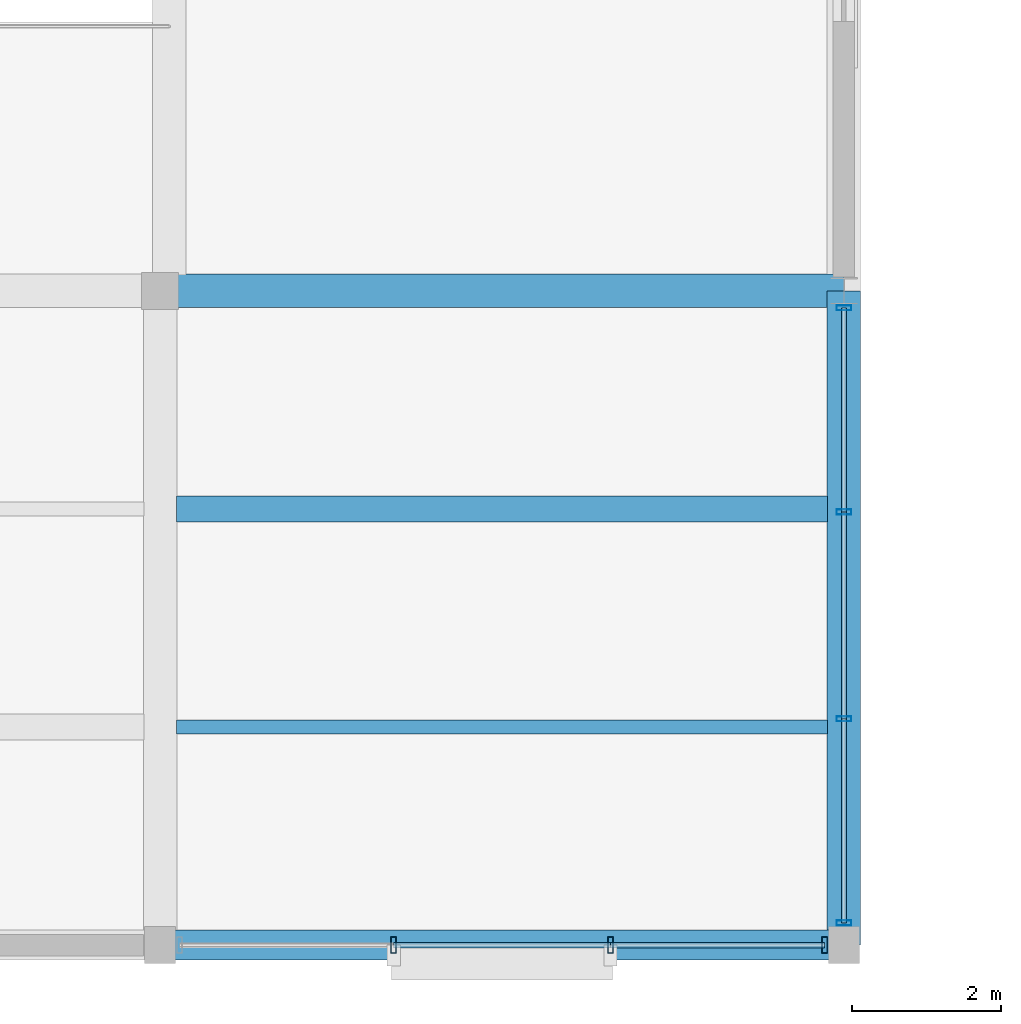
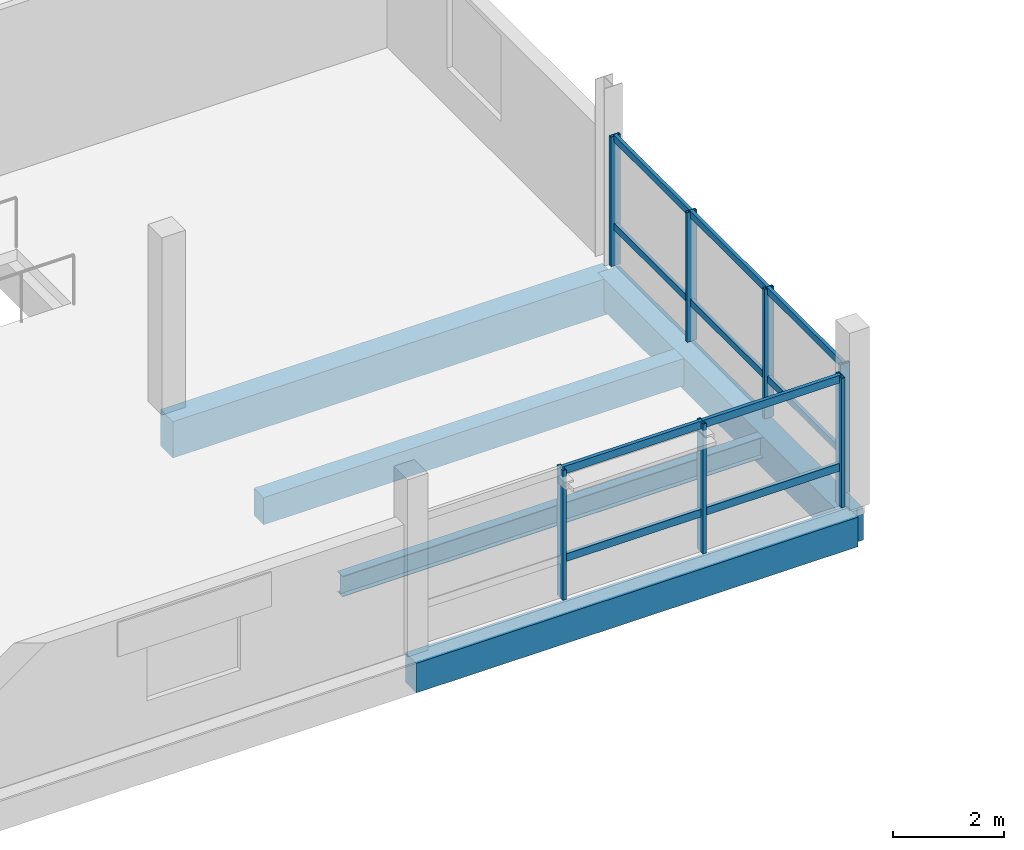
# One storey, part 14 of 62: 17 members, 5 beams, 2 elements without a shape of their own.
"""IFC4 building model written with IfcOpenShell, lengths in metres."""

import ifcopenshell
import ifcopenshell.guid

model = None  # the IFC model being written
_history = None  # IfcOwnerHistory: only IFC2X3 demands one
_inside = {}  # id of a spatial element -> (the spatial element, [elements in it])
_under = {}  # id of a project, library or spatial element -> (it, [spatial elements below it])
_declared = {}  # id of a project -> (the project, [libraries it declares])
_typed = {}  # id of a type object -> (the type object, [elements of that type])
_made_of = {}  # id of a material, layer set ... -> (it, [elements and type objects made of it])


def new_model(schema):
    """Start an empty IFC model of exactly this schema.

    Asked for "IFC4X3", IfcOpenShell would pick the latest addendum, in which some entities
    have other attributes; the version numbers below select the first issue.
    IFC2X3 requires an IfcOwnerHistory on every rooted entity: one is made here for all.
    """
    global model, _history
    if schema == "IFC4X3":
        model = ifcopenshell.file(schema_version=(4, 3, 0, 0))
    else:
        model = ifcopenshell.file(schema=schema)
    _inside.clear()
    _under.clear()
    _declared.clear()
    _typed.clear()
    _made_of.clear()
    _history = None
    if model.schema == "IFC2X3":
        org = make("IfcOrganization", Name="unknown")
        user = make(
            "IfcPersonAndOrganization",
            ThePerson=make("IfcPerson", FamilyName="unknown"),
            TheOrganization=org,
        )
        app = make(
            "IfcApplication",
            ApplicationDeveloper=org,
            Version="unknown",
            ApplicationFullName="unknown",
            ApplicationIdentifier="unknown",
        )
        _history = make(
            "IfcOwnerHistory",
            OwningUser=user,
            OwningApplication=app,
            ChangeAction="ADDED",
            CreationDate=0,
        )
    return model


def make(cls, **values):
    """One entity of the class cls with the attributes given. An attribute that is None is left unset."""
    return model.create_entity(
        cls, **{name: value for name, value in values.items() if value is not None}
    )


def rooted(cls, **values):
    """An entity with a GlobalId (a new one), such as an element, a storey or a relation."""
    return make(cls, GlobalId=ifcopenshell.guid.new(), OwnerHistory=_history, **values)


def si_unit(unit_type, name, prefix=None):
    """IfcSIUnit, for example si_unit("LENGTHUNIT", "METRE", prefix="MILLI")."""
    return make("IfcSIUnit", UnitType=unit_type, Prefix=prefix, Name=name)


def assignment(units):
    """IfcUnitAssignment: the units of a project."""
    return None if units is None else make("IfcUnitAssignment", Units=units)


def point(xyz):
    """IfcCartesianPoint."""
    return None if xyz is None else make("IfcCartesianPoint", Coordinates=xyz)


def direction(xyz):
    """IfcDirection."""
    return None if xyz is None else make("IfcDirection", DirectionRatios=xyz)


def frame(location, z_axis=None, x_axis=None):
    """IfcAxis2Placement3D, a coordinate frame: its origin and axes. An axis left out is left unset."""
    return make(
        "IfcAxis2Placement3D",
        Location=point(location),
        Axis=direction(z_axis),
        RefDirection=direction(x_axis),
    )


def frame_2d(location, x_axis=None):
    """IfcAxis2Placement2D, a coordinate frame in the plane: its origin and x axis."""
    return make(
        "IfcAxis2Placement2D", Location=point(location), RefDirection=direction(x_axis)
    )


def origin():
    """The frame at (0, 0, 0) with its axes left unset."""
    return frame((0.0, 0.0, 0.0))


def origin_2d():
    """The frame at (0, 0) in the plane with its x axis left unset."""
    return frame_2d((0.0, 0.0))


def place(relative_to, where):
    """IfcLocalPlacement: puts the frame where relative to a parent placement (None: the world)."""
    return make(
        "IfcLocalPlacement", PlacementRelTo=relative_to, RelativePlacement=where
    )


def context(
    kind, dimensions, precision=None, world=None, true_north=None, identifier=None
):
    """IfcGeometricRepresentationContext, for example the 3D "Model" context."""
    return make(
        "IfcGeometricRepresentationContext",
        ContextIdentifier=identifier,
        ContextType=kind,
        CoordinateSpaceDimension=dimensions,
        Precision=precision,
        WorldCoordinateSystem=world,
        TrueNorth=true_north,
    )


def subcontext(parent, identifier, kind, view, scale=None):
    """IfcGeometricRepresentationSubContext, for example "Body" below "Model"."""
    return make(
        "IfcGeometricRepresentationSubContext",
        ContextIdentifier=identifier,
        ContextType=kind,
        ParentContext=parent,
        TargetScale=scale,
        TargetView=view,
    )


def project(units=None, contexts=None):
    """IfcProject with its units and contexts."""
    return rooted(
        "IfcProject",
        Name="project",
        RepresentationContexts=contexts,
        UnitsInContext=assignment(units),
    )


def spatial(cls, under=None, at=None, **own):
    """A site, building, storey or space (cls), placed at a placement, below another one or the project."""
    s = rooted(cls, ObjectPlacement=at, **own)
    if under is not None:
        _under.setdefault(under.id(), (under, []))[1].append(s)
    return s


def profile(cls, at=None, kind="AREA", **sizes):
    """A parametric profile (cls). Its sizes go by their IFC names, for example OverallWidth=200.0."""
    return make(cls, ProfileType=kind, Position=at, **sizes)


def rectangle(**sizes):
    """IfcRectangleProfileDef."""
    return profile("IfcRectangleProfileDef", **sizes)


def hollow_rectangle(**sizes):
    """IfcRectangleHollowProfileDef."""
    return profile("IfcRectangleHollowProfileDef", **sizes)


def i_section(**sizes):
    """IfcIShapeProfileDef."""
    return profile("IfcIShapeProfileDef", **sizes)


def extrude(swept, where, along, depth):
    """IfcExtrudedAreaSolid: the profile swept, set in the frame where, extruded along a direction by depth."""
    return make(
        "IfcExtrudedAreaSolid",
        SweptArea=swept,
        Position=where,
        ExtrudedDirection=direction(along),
        Depth=depth,
    )


def shape(context_of_items, identifier, shape_type, items):
    """IfcShapeRepresentation: the items that make up one representation, for example the "Body"."""
    return make(
        "IfcShapeRepresentation",
        ContextOfItems=context_of_items,
        RepresentationIdentifier=identifier,
        RepresentationType=shape_type,
        Items=items,
    )


def material(Name=None, Category=None):
    """IfcMaterial."""
    return make("IfcMaterial", Name=Name, Category=Category)


def layer(
    of_material, thickness, ventilated=None, Name=None, Category=None, Priority=None
):
    """IfcMaterialLayer: one layer of a wall or slab, of a material (None: an air gap)."""
    return make(
        "IfcMaterialLayer",
        Material=of_material,
        LayerThickness=thickness,
        IsVentilated=ventilated,
        Name=Name,
        Category=Category,
        Priority=Priority,
    )


def layer_set(layers, Name=None):
    """IfcMaterialLayerSet."""
    return make("IfcMaterialLayerSet", MaterialLayers=layers, LayerSetName=Name)


def material_profile(
    of_material, cross_section, Name=None, Category=None, Priority=None
):
    """IfcMaterialProfile: a cross section and its material."""
    return make(
        "IfcMaterialProfile",
        Name=Name,
        Material=of_material,
        Profile=cross_section,
        Priority=Priority,
        Category=Category,
    )


def profile_set(profiles, Name=None, composite=None):
    """IfcMaterialProfileSet."""
    return make(
        "IfcMaterialProfileSet",
        Name=Name,
        MaterialProfiles=profiles,
        CompositeProfile=composite,
    )


def made_of(thing, what):
    """Note that an element or type object is made of a material, layer set ...; save() writes the relation."""
    if what is not None:
        _made_of.setdefault(what.id(), (what, []))[1].append(thing)
    return thing


def type_object(cls, material=None, **own):
    """A type object (cls), such as IfcWallType, which elements share."""
    return made_of(rooted(cls, **own), material)


def element(
    cls,
    number,
    at=None,
    inside=None,
    cuts=None,
    type_object=None,
    material=None,
    context=None,
    identifier="Body",
    shape_type=None,
    held_by="IfcProductDefinitionShape",
    body=None,
    shapes=None,
    **own,
):
    """One element of the class cls, such as IfcWall. Its Tag is "e" and its number.

    at: its placement. inside: the storey or other place that contains it. cuts: it is an
    opening in that element (IfcRelVoidsElement). A single representation is given by context,
    identifier, shape_type and body (its items); several are given by shapes. held_by: the class
    of the entity that holds the representations. save() writes the other relations.
    """
    e = rooted(cls, Tag="e%d" % number, ObjectPlacement=at, **own)
    if body is not None:
        shapes = [shape(context, identifier, shape_type, body)]
    if shapes is not None:
        e.Representation = make(held_by, Representations=shapes)
    if inside is not None:
        _inside.setdefault(inside.id(), (inside, []))[1].append(e)
    if cuts is not None:
        rooted(
            "IfcRelVoidsElement", RelatingBuildingElement=cuts, RelatedOpeningElement=e
        )
    if type_object is not None:
        _typed.setdefault(type_object.id(), (type_object, []))[1].append(e)
    return made_of(e, material)


def aggregate(whole, parts):
    """IfcRelAggregates: a whole, such as a stair, and the parts it consists of."""
    return rooted("IfcRelAggregates", RelatingObject=whole, RelatedObjects=parts)


def save(model, path):
    """Write the relations noted so far, then the file.

    IfcRelAggregates (storeys below a building ...), IfcRelContainedInSpatialStructure (elements
    in a storey), IfcRelDefinesByType, IfcRelAssociatesMaterial and IfcRelDeclares: one each for
    every whole, place, type object, material and project.
    """
    for whole, parts in _under.values():
        aggregate(whole, parts)
    for where, things in _inside.values():
        rooted(
            "IfcRelContainedInSpatialStructure",
            RelatedElements=things,
            RelatingStructure=where,
        )
    for kind, things in _typed.values():
        rooted("IfcRelDefinesByType", RelatedObjects=things, RelatingType=kind)
    for what, things in _made_of.values():
        rooted("IfcRelAssociatesMaterial", RelatedObjects=things, RelatingMaterial=what)
    for by, libraries in _declared.values():
        rooted("IfcRelDeclares", RelatingContext=by, RelatedDefinitions=libraries)
    model.write(path)


model = new_model("IFC4")

# Units and contexts
model_context = context("Model", 3, precision=1e-05, world=origin(), true_north=direction((0.0, 1.0)))
body_context = subcontext(model_context, "Body", "Model", "MODEL_VIEW")
ifc_project = project(units=[si_unit("LENGTHUNIT", "METRE"), si_unit("AREAUNIT", "SQUARE_METRE"), si_unit("VOLUMEUNIT", "CUBIC_METRE"), si_unit("PLANEANGLEUNIT", "RADIAN"), si_unit("MASSUNIT", "GRAM", prefix="KILO")], contexts=[model_context])

# Site, building, storey
site_placement = place(None, origin())
site = spatial("IfcSite", under=ifc_project, at=site_placement, CompositionType="ELEMENT")
building_placement = place(site_placement, origin())
building = spatial("IfcBuilding", under=site, at=building_placement, Name="Meriwether Solvik Hall", CompositionType="ELEMENT")
storey_placement = place(building_placement, frame((0.0, 0.0, 14.39990234375)))
storey = spatial("IfcBuildingStorey", under=building, at=storey_placement, Name="L03", CompositionType="ELEMENT", Elevation=14.39990234375)

# Beams
ifc_material_1 = material(Name="Concrete C40/50", Category="concrete")
ifc_material_profile_1 = material_profile(ifc_material_1, rectangle(XDim=0.35009765625, YDim=0.60009765625, at=origin_2d()), Name="RCB-350X600")
ifc_profile_set_1 = profile_set([ifc_material_profile_1], Name="Concrete C40/50")
beam_type_1 = type_object("IfcBeamType", Name="BM-RC-350X600", PredefinedType="JOIST", material=ifc_profile_set_1)
beam_1_placement = place(storey_placement, frame((105.219970703125, 11.066650390625, -0.544921875), z_axis=(1.0, 0.0, 0.0), x_axis=(0.0, 1.0, 0.0)))
element("IfcBeam", 1, at=beam_1_placement, inside=storey, type_object=beam_type_1, Name="Secondary Floor Joist 12/A_J2 (L03)", PredefinedType="JOIST", context=body_context, shape_type="SweptSolid", body=[
    extrude(rectangle(XDim=0.35009765625, YDim=0.60009765625, at=origin_2d()), origin(), (0.0, 0.0, 1.0), 8.760009765625),
])
ifc_material_2 = material(Name="Concrete C40/50", Category="concrete")
ifc_material_profile_2 = material_profile(ifc_material_2, rectangle(XDim=0.39990234375, YDim=0.64990234375, at=origin_2d()), Name="RCB-400X650")
ifc_profile_set_2 = profile_set([ifc_material_profile_2], Name="Concrete C40/50")
beam_type_2 = type_object("IfcBeamType", Name="BM-RC-400X650", PredefinedType="SPANDREL", material=ifc_profile_set_2)
beam_2_placement = place(storey_placement, frame((105.0, 5.199951171875, -0.56982421875), z_axis=(1.0, 0.0, 0.0), x_axis=(0.0, 1.0, 0.0)))
element("IfcBeam", 2, at=beam_2_placement, inside=storey, type_object=beam_type_2, Name="Podium Girder A:12-13 (L03)", PredefinedType="SPANDREL", context=body_context, shape_type="SweptSolid", body=[
    extrude(rectangle(XDim=0.39990234375, YDim=0.64990234375, at=origin_2d()), origin(), (0.0, 0.0, 1.0), 9.199951171875),
])
ifc_material_3 = material(Name="Concrete C40/50", Category="concrete")
ifc_material_profile_3 = material_profile(ifc_material_3, rectangle(XDim=0.449951171875, YDim=0.699951171875, at=origin_2d()), Name="RCB-450X700")
ifc_profile_set_3 = profile_set([ifc_material_profile_3], Name="Concrete C40/50")
beam_type_3 = type_object("IfcBeamType", Name="BM-RC-450X700", PredefinedType="BEAM", material=ifc_profile_set_3)
beam_3_placement = place(storey_placement, frame((114.199951171875, 5.199951171875, -0.594970703125), z_axis=(0.0, 1.0, 0.0), x_axis=(-1.0, 0.0, 0.0)))
element("IfcBeam", 3, at=beam_3_placement, inside=storey, type_object=beam_type_3, Name="Podium Girder 13:A-B (L03)", PredefinedType="BEAM", context=body_context, shape_type="SweptSolid", body=[
    extrude(rectangle(XDim=0.449951171875, YDim=0.699951171875, at=origin_2d()), origin(), (0.0, 0.0, 1.0), 8.800048828125),
])
ifc_material_4 = material(Name="Concrete C40/50", Category="concrete")
ifc_material_profile_4 = material_profile(ifc_material_4, rectangle(XDim=0.449951171875, YDim=0.800048828125, at=origin_2d()), Name="RCB-450X800")
ifc_profile_set_4 = profile_set([ifc_material_profile_4], Name="Concrete C40/50")
beam_type_4 = type_object("IfcBeamType", Name="BM-RC-450X800", PredefinedType="BEAM", material=ifc_profile_set_4)
beam_4_placement = place(storey_placement, frame((105.0, 14.0, -0.64501953125), z_axis=(1.0, 0.0, 0.0), x_axis=(0.0, 1.0, 0.0)))
element("IfcBeam", 4, at=beam_4_placement, inside=storey, type_object=beam_type_4, Name="Podium Girder B:12-13 (L03)", PredefinedType="BEAM", context=body_context, shape_type="SweptSolid", body=[
    extrude(rectangle(XDim=0.449951171875, YDim=0.800048828125, at=origin_2d()), origin(), (0.0, 0.0, 1.0), 9.199951171875),
])
ifc_material_5 = material(Name="Steel A992 Grade 50", Category="steel")
ifc_material_profile_5 = material_profile(ifc_material_5, i_section(OverallWidth=0.19091796875, OverallDepth=0.45703125, WebThickness=0.009033203125, FlangeThickness=0.014404296875, at=origin_2d()), Name="W18X50")
ifc_profile_set_5 = profile_set([ifc_material_profile_5], Name="Steel A992 Grade 50")
beam_type_5 = type_object("IfcBeamType", Name="BM-STL-W18X50", PredefinedType="JOIST", material=ifc_profile_set_5)
beam_5_placement = place(storey_placement, frame((105.219970703125, 8.13330078125, -0.473388671875), z_axis=(1.0, 0.0, 0.0), x_axis=(0.0, 1.0, 0.0)))
element("IfcBeam", 5, at=beam_5_placement, inside=storey, type_object=beam_type_5, Name="Secondary Floor Joist 12/A_J1 (L03)", PredefinedType="JOIST", context=body_context, shape_type="SweptSolid", body=[
    extrude(i_section(OverallWidth=0.19091796875, OverallDepth=0.45703125, WebThickness=0.009033203125, FlangeThickness=0.014404296875, at=origin_2d()), origin(), (0.0, 0.0, 1.0), 8.760009765625),
])

# Curtain wall, members
ifc_material_6 = material(Name="Thermally Broken Anodised Aluminium 6063-T6 and Low-E Glass", Category="aluminium")
ifc_layer = layer(ifc_material_6, 0.179931640625)
ifc_layer_set = layer_set([ifc_layer], Name="Thermally Broken Anodised Aluminium 6063-T6 and Low-E Glass")
curtain_wall_type = type_object("IfcCurtainWallType", Name="CW-UNIT-E", PredefinedType="USERDEFINED", material=ifc_layer_set)
curtain_wall_1_placement = place(storey_placement, origin())
curtain_wall_1 = element("IfcCurtainWall", 6, at=curtain_wall_1_placement, inside=storey, type_object=curtain_wall_type, Name="Curtain Wall wing_Y13_1_34 (L03)", ObjectType="UNITISED CURTAIN WALL", PredefinedType="USERDEFINED")
ifc_material_7 = material(Name="Anodised Aluminium 6063-T6", Category="aluminium")
ifc_material_profile_6 = material_profile(ifc_material_7, hollow_rectangle(XDim=0.070068359375, YDim=0.199951171875, WallThickness=0.0048828125, at=origin_2d()), Name="CWM-70X200")
ifc_profile_set_6 = profile_set([ifc_material_profile_6], Name="Anodised Aluminium 6063-T6")
member_type_1 = type_object("IfcMemberType", Name="CW-MUL-70X200", PredefinedType="MULLION", material=ifc_profile_set_6)
member_1_placement = place(storey_placement, frame((114.199951171875, 13.77197265625, 0.0), z_axis=(0.0, 0.0, 1.0), x_axis=(0.0, -1.0, 0.0)))
member_1 = element("IfcMember", 7, at=member_1_placement, type_object=member_type_1, Name="Curtain Wall Mullion 1", PredefinedType="MULLION", context=body_context, shape_type="SweptSolid", body=[
    extrude(hollow_rectangle(XDim=0.070068359375, YDim=0.199951171875, WallThickness=0.0048828125, at=origin_2d()), origin(), (0.0, 0.0, 1.0), 2.85498046875),
])
member_2_placement = place(storey_placement, frame((114.199951171875, 11.026611328125, 0.0), z_axis=(0.0, 0.0, 1.0), x_axis=(0.0, -1.0, 0.0)))
member_2 = element("IfcMember", 8, at=member_2_placement, type_object=member_type_1, Name="Curtain Wall Mullion 2", PredefinedType="MULLION", context=body_context, shape_type="SweptSolid", body=[
    extrude(hollow_rectangle(XDim=0.070068359375, YDim=0.199951171875, WallThickness=0.0048828125, at=origin_2d()), origin(), (0.0, 0.0, 1.0), 2.85498046875),
])
member_3_placement = place(storey_placement, frame((114.199951171875, 8.242919921875, 0.0), z_axis=(0.0, 0.0, 1.0), x_axis=(0.0, -1.0, 0.0)))
member_3 = element("IfcMember", 9, at=member_3_placement, type_object=member_type_1, Name="Curtain Wall Mullion 3", PredefinedType="MULLION", context=body_context, shape_type="SweptSolid", body=[
    extrude(hollow_rectangle(XDim=0.070068359375, YDim=0.199951171875, WallThickness=0.0048828125, at=origin_2d()), origin(), (0.0, 0.0, 1.0), 2.85498046875),
])
member_4_placement = place(storey_placement, frame((114.199951171875, 5.49755859375, 0.0), z_axis=(0.0, 0.0, 1.0), x_axis=(0.0, -1.0, 0.0)))
member_4 = element("IfcMember", 10, at=member_4_placement, type_object=member_type_1, Name="Curtain Wall Mullion 4", PredefinedType="MULLION", context=body_context, shape_type="SweptSolid", body=[
    extrude(hollow_rectangle(XDim=0.070068359375, YDim=0.199951171875, WallThickness=0.0048828125, at=origin_2d()), origin(), (0.0, 0.0, 1.0), 2.85498046875),
])

curtain_wall_2_placement = place(storey_placement, origin())
curtain_wall_2 = element("IfcCurtainWall", 11, at=curtain_wall_2_placement, inside=storey, type_object=curtain_wall_type, Name="Curtain Wall wing_XA_12_5 (L03)", ObjectType="UNITISED CURTAIN WALL", PredefinedType="USERDEFINED")
ifc_material_8 = material(Name="Anodised Aluminium 6063-T6", Category="aluminium")
ifc_material_profile_7 = material_profile(ifc_material_8, hollow_rectangle(XDim=0.074951171875, YDim=0.219970703125, WallThickness=0.005615234375, at=origin_2d()), Name="CWM-75X220")
ifc_profile_set_7 = profile_set([ifc_material_profile_7], Name="Anodised Aluminium 6063-T6")
member_type_2 = type_object("IfcMemberType", Name="CW-MUL-75X220", PredefinedType="MULLION", material=ifc_profile_set_7)
member_5_placement = place(storey_placement, frame((113.93994140625, 5.199951171875, 0.0), z_axis=(0.0, 0.0, 1.0), x_axis=(-1.0, 0.0, 0.0)))
member_5 = element("IfcMember", 12, at=member_5_placement, type_object=member_type_2, Name="Curtain Wall Mullion 1", PredefinedType="MULLION", context=body_context, shape_type="SweptSolid", body=[
    extrude(hollow_rectangle(XDim=0.074951171875, YDim=0.219970703125, WallThickness=0.005615234375, at=origin_2d()), origin(), (0.0, 0.0, 1.0), 2.85498046875),
])
member_6_placement = place(storey_placement, frame((111.059326171875, 5.199951171875, 0.0), z_axis=(0.0, 0.0, 1.0), x_axis=(-1.0, 0.0, 0.0)))
member_6 = element("IfcMember", 13, at=member_6_placement, type_object=member_type_2, Name="Curtain Wall Mullion 2", PredefinedType="MULLION", context=body_context, shape_type="SweptSolid", body=[
    extrude(hollow_rectangle(XDim=0.074951171875, YDim=0.219970703125, WallThickness=0.005615234375, at=origin_2d()), origin(), (0.0, 0.0, 1.0), 2.85498046875),
])
member_7_placement = place(storey_placement, frame((108.140625, 5.199951171875, 0.0), z_axis=(0.0, 0.0, 1.0), x_axis=(-1.0, 0.0, 0.0)))
member_7 = element("IfcMember", 14, at=member_7_placement, type_object=member_type_2, Name="Curtain Wall Mullion 3", PredefinedType="MULLION", context=body_context, shape_type="SweptSolid", body=[
    extrude(hollow_rectangle(XDim=0.074951171875, YDim=0.219970703125, WallThickness=0.005615234375, at=origin_2d()), origin(), (0.0, 0.0, 1.0), 2.85498046875),
])

# Member
ifc_material_9 = material(Name="Anodised Aluminium 6063-T6", Category="aluminium")
ifc_material_profile_8 = material_profile(ifc_material_9, hollow_rectangle(XDim=0.070068359375, YDim=0.14990234375, WallThickness=0.0048828125, at=origin_2d()), Name="CWT-70X150")
ifc_profile_set_8 = profile_set([ifc_material_profile_8], Name="Anodised Aluminium 6063-T6")
member_type_3 = type_object("IfcMemberType", Name="CW-TRN-70X150", PredefinedType="USERDEFINED", material=ifc_profile_set_8)
member_8_placement = place(storey_placement, frame((114.199951171875, 13.77197265625, 0.856689453125), z_axis=(0.0, -1.0, 0.0), x_axis=(1.0, 0.0, 0.0)))
member_8 = element("IfcMember", 15, at=member_8_placement, type_object=member_type_3, Name="Curtain Wall Transom 1-sill", ObjectType="TRANSOM", PredefinedType="USERDEFINED", context=body_context, shape_type="SweptSolid", body=[
    extrude(hollow_rectangle(XDim=0.070068359375, YDim=0.14990234375, WallThickness=0.0048828125, at=origin_2d()), origin(), (0.0, 0.0, 1.0), 2.745361328125),
])

member_9_placement = place(storey_placement, frame((114.199951171875, 13.77197265625, 2.795166015625), z_axis=(0.0, -1.0, 0.0), x_axis=(1.0, 0.0, 0.0)))
member_9 = element("IfcMember", 16, at=member_9_placement, type_object=member_type_3, Name="Curtain Wall Transom 1-head", ObjectType="TRANSOM", PredefinedType="USERDEFINED", context=body_context, shape_type="SweptSolid", body=[
    extrude(hollow_rectangle(XDim=0.070068359375, YDim=0.14990234375, WallThickness=0.0048828125, at=origin_2d()), origin(), (0.0, 0.0, 1.0), 2.745361328125),
])

member_10_placement = place(storey_placement, frame((114.199951171875, 11.026611328125, 0.856689453125), z_axis=(0.0, -1.0, 0.0), x_axis=(1.0, 0.0, 0.0)))
member_10 = element("IfcMember", 17, at=member_10_placement, type_object=member_type_3, Name="Curtain Wall Transom 2-sill", ObjectType="TRANSOM", PredefinedType="USERDEFINED", context=body_context, shape_type="SweptSolid", body=[
    extrude(hollow_rectangle(XDim=0.070068359375, YDim=0.14990234375, WallThickness=0.0048828125, at=origin_2d()), origin(), (0.0, 0.0, 1.0), 2.78369140625),
])

member_11_placement = place(storey_placement, frame((114.199951171875, 11.026611328125, 2.795166015625), z_axis=(0.0, -1.0, 0.0), x_axis=(1.0, 0.0, 0.0)))
member_11 = element("IfcMember", 18, at=member_11_placement, type_object=member_type_3, Name="Curtain Wall Transom 2-head", ObjectType="TRANSOM", PredefinedType="USERDEFINED", context=body_context, shape_type="SweptSolid", body=[
    extrude(hollow_rectangle(XDim=0.070068359375, YDim=0.14990234375, WallThickness=0.0048828125, at=origin_2d()), origin(), (0.0, 0.0, 1.0), 2.78369140625),
])

member_12_placement = place(storey_placement, frame((114.199951171875, 8.242919921875, 0.856689453125), z_axis=(0.0, -1.0, 0.0), x_axis=(1.0, 0.0, 0.0)))
member_12 = element("IfcMember", 19, at=member_12_placement, type_object=member_type_3, Name="Curtain Wall Transom 3-sill", ObjectType="TRANSOM", PredefinedType="USERDEFINED", context=body_context, shape_type="SweptSolid", body=[
    extrude(hollow_rectangle(XDim=0.070068359375, YDim=0.14990234375, WallThickness=0.0048828125, at=origin_2d()), origin(), (0.0, 0.0, 1.0), 2.745361328125),
])

member_13_placement = place(storey_placement, frame((114.199951171875, 8.242919921875, 2.795166015625), z_axis=(0.0, -1.0, 0.0), x_axis=(1.0, 0.0, 0.0)))
member_13 = element("IfcMember", 20, at=member_13_placement, type_object=member_type_3, Name="Curtain Wall Transom 3-head", ObjectType="TRANSOM", PredefinedType="USERDEFINED", context=body_context, shape_type="SweptSolid", body=[
    extrude(hollow_rectangle(XDim=0.070068359375, YDim=0.14990234375, WallThickness=0.0048828125, at=origin_2d()), origin(), (0.0, 0.0, 1.0), 2.745361328125),
])

aggregate(curtain_wall_1, [member_1, member_2, member_3, member_4, member_8, member_9, member_10, member_11, member_12, member_13])

ifc_material_10 = material(Name="Anodised Aluminium 6063-T6", Category="aluminium")
ifc_material_profile_9 = material_profile(ifc_material_10, hollow_rectangle(XDim=0.074951171875, YDim=0.169921875, WallThickness=0.005615234375, at=origin_2d()), Name="CWT-75X170")
ifc_profile_set_9 = profile_set([ifc_material_profile_9], Name="Anodised Aluminium 6063-T6")
member_type_4 = type_object("IfcMemberType", Name="CW-TRN-75X170", PredefinedType="USERDEFINED", material=ifc_profile_set_9)
member_14_placement = place(storey_placement, frame((113.93994140625, 5.199951171875, 0.856689453125), z_axis=(-1.0, 0.0, 0.0), x_axis=(0.0, -1.0, 0.0)))
member_14 = element("IfcMember", 21, at=member_14_placement, type_object=member_type_4, Name="Curtain Wall Transom 1-sill", ObjectType="TRANSOM", PredefinedType="USERDEFINED", context=body_context, shape_type="SweptSolid", body=[
    extrude(hollow_rectangle(XDim=0.074951171875, YDim=0.169921875, WallThickness=0.005615234375, at=origin_2d()), origin(), (0.0, 0.0, 1.0), 2.880615234375),
])

member_15_placement = place(storey_placement, frame((113.93994140625, 5.199951171875, 2.795166015625), z_axis=(-1.0, 0.0, 0.0), x_axis=(0.0, -1.0, 0.0)))
member_15 = element("IfcMember", 22, at=member_15_placement, type_object=member_type_4, Name="Curtain Wall Transom 1-head", ObjectType="TRANSOM", PredefinedType="USERDEFINED", context=body_context, shape_type="SweptSolid", body=[
    extrude(hollow_rectangle(XDim=0.074951171875, YDim=0.169921875, WallThickness=0.005615234375, at=origin_2d()), origin(), (0.0, 0.0, 1.0), 2.880615234375),
])

member_16_placement = place(storey_placement, frame((111.059326171875, 5.199951171875, 0.856689453125), z_axis=(-1.0, 0.0, 0.0), x_axis=(0.0, -1.0, 0.0)))
member_16 = element("IfcMember", 23, at=member_16_placement, type_object=member_type_4, Name="Curtain Wall Transom 2-sill", ObjectType="TRANSOM", PredefinedType="USERDEFINED", context=body_context, shape_type="SweptSolid", body=[
    extrude(hollow_rectangle(XDim=0.074951171875, YDim=0.169921875, WallThickness=0.005615234375, at=origin_2d()), origin(), (0.0, 0.0, 1.0), 2.918701171875),
])

member_17_placement = place(storey_placement, frame((111.059326171875, 5.199951171875, 2.795166015625), z_axis=(-1.0, 0.0, 0.0), x_axis=(0.0, -1.0, 0.0)))
member_17 = element("IfcMember", 24, at=member_17_placement, type_object=member_type_4, Name="Curtain Wall Transom 2-head", ObjectType="TRANSOM", PredefinedType="USERDEFINED", context=body_context, shape_type="SweptSolid", body=[
    extrude(hollow_rectangle(XDim=0.074951171875, YDim=0.169921875, WallThickness=0.005615234375, at=origin_2d()), origin(), (0.0, 0.0, 1.0), 2.918701171875),
])

aggregate(curtain_wall_2, [member_5, member_6, member_7, member_14, member_15, member_16, member_17])

save(model, "model.ifc")
